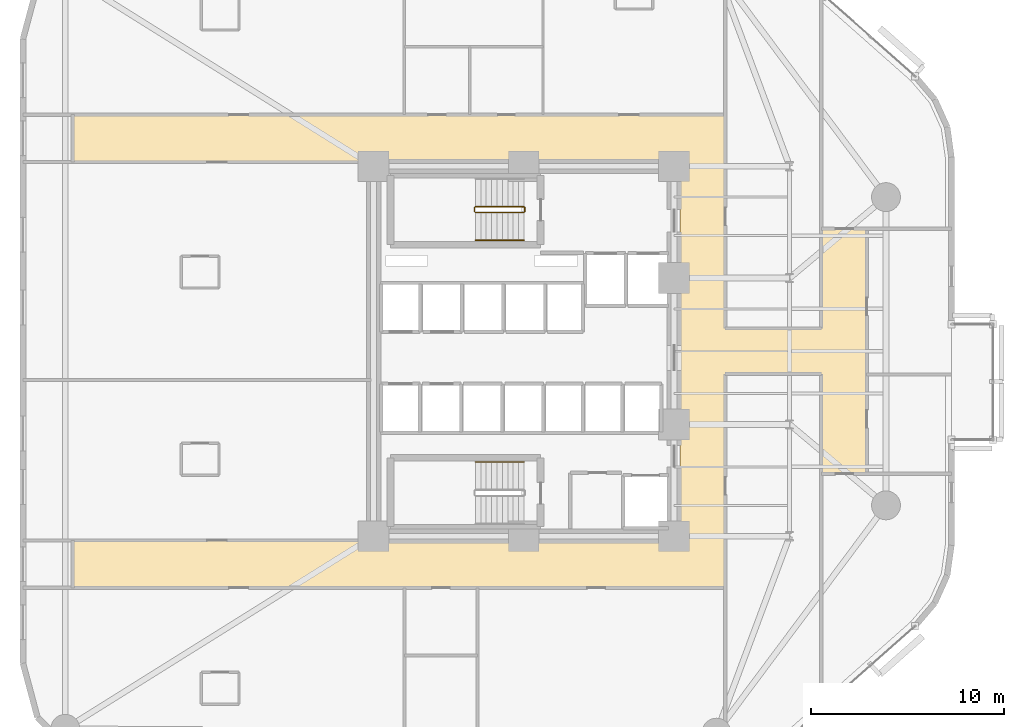
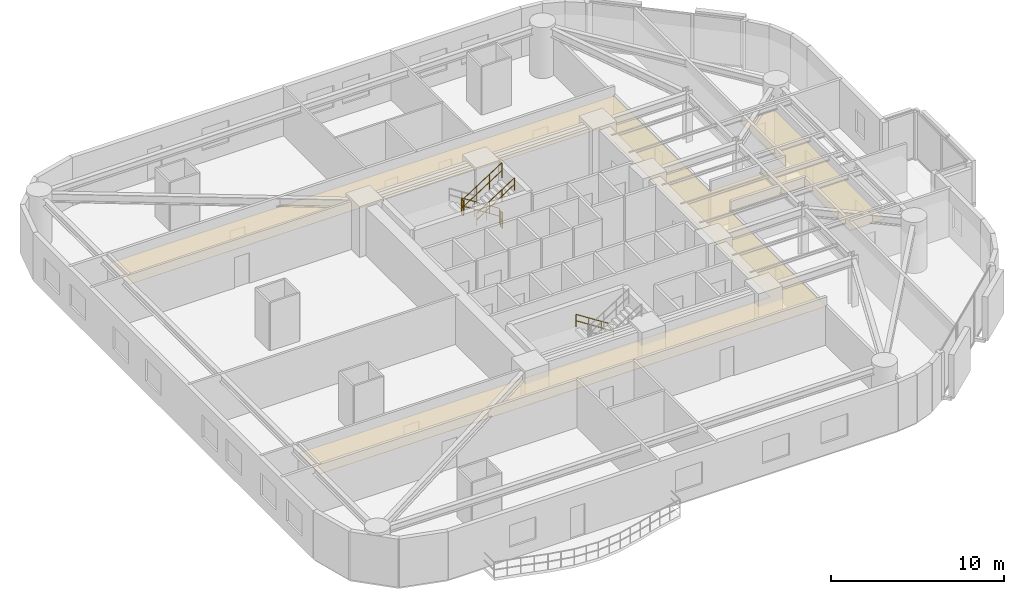
# One storey, part 15 of 16: 6 railings, 1 covering.
"""IFC4 building model written with IfcOpenShell, lengths in metres."""

from ifc_helpers import new_model, si_unit, direction, frame, origin, origin_2d, place, context, subcontext, project, spatial, polyline, circle, outline, extrude, material, layer, layer_set, type_object, element, save


model = new_model("IFC4")

# Units and contexts
model_context = context("Model", 3, precision=1e-05, world=origin(), true_north=direction((0.0, 1.0)))
body_context = subcontext(model_context, "Body", "Model", "MODEL_VIEW")
ifc_project = project(units=[si_unit("LENGTHUNIT", "METRE"), si_unit("AREAUNIT", "SQUARE_METRE"), si_unit("VOLUMEUNIT", "CUBIC_METRE"), si_unit("PLANEANGLEUNIT", "RADIAN"), si_unit("MASSUNIT", "GRAM", prefix="KILO")], contexts=[model_context])

# Site, building, storey
site_placement = place(None, origin())
site = spatial("IfcSite", under=ifc_project, at=site_placement, CompositionType="ELEMENT")
building_placement = place(site_placement, origin())
building = spatial("IfcBuilding", under=site, at=building_placement, Name="An Khanh Terracotta Commons", CompositionType="ELEMENT")
storey_placement = place(building_placement, frame((0.0, 0.0, 57.60009765625)))
storey = spatial("IfcBuildingStorey", under=building, at=storey_placement, Name="L15", CompositionType="ELEMENT", Elevation=57.60009765625)

# Covering
ifc_material_1 = material(Name="Perforated Mineral-Fibre Acoustic Tile")
ifc_layer = layer(ifc_material_1, 0.02001953125, Name="Perforated Mineral-Fibre Acoustic Tile")
ifc_layer_set = layer_set([ifc_layer], Name="Perforated Mineral-Fibre Acoustic Tile")
covering_type = type_object("IfcCoveringType", Name="CEIL-ACOUSTIC-18", PredefinedType="CEILING", material=ifc_layer_set)
covering_placement = place(storey_placement, frame((0.0, 0.0, 2.64990234375)))
element("IfcCovering", 1, at=covering_placement, inside=storey, type_object=covering_type, Name="L15 Corridor Ceiling", PredefinedType="CEILING", context=body_context, shape_type="SweptSolid", body=[
    extrude(outline(polyline([(6.0, 11.719970703125), (6.0, 14.179931640625), (37.5, 14.179931640625), (37.5, 33.820068359375), (6.0, 33.820068359375), (6.0, 36.280029296875), (37.5, 36.280029296875), (39.85009765625, 36.280029296875), (39.85009765625, 33.820068359375), (39.85009765625, 25.179931640625), (44.85009765625, 25.179931640625), (44.85009765625, 30.35009765625), (47.199951171875, 30.35009765625), (47.199951171875, 25.179931640625), (47.199951171875, 22.820068359375), (47.199951171875, 17.64990234375), (44.85009765625, 17.64990234375), (44.85009765625, 22.820068359375), (39.85009765625, 22.820068359375), (39.85009765625, 14.179931640625), (39.85009765625, 11.719970703125), (37.5, 11.719970703125), (6.0, 11.719970703125)])), origin(), (0.0, 0.0, 1.0), 0.02001953125),
])

# Railings
ifc_material_2 = material(Name="Brushed Stainless Steel 316", Category="steel")
railing_type_1 = type_object("IfcRailingType", Name="RAIL-HANDRAIL-900", PredefinedType="HANDRAIL", material=ifc_material_2)
railing_1_placement = place(storey_placement, frame((26.889892578125, 29.75, 1.97998046875)))
element("IfcRailing", 2, at=railing_1_placement, inside=storey, type_object=railing_type_1, Name="L15 ST-01 stair handrail 2", PredefinedType="HANDRAIL", context=body_context, shape_type="SweptSolid", body=[
    extrude(circle(Radius=0.02392578125, at=origin_2d()), frame((0.0, 0.0, 0.8759765625), z_axis=(0.841199657755, 0.0, 0.540724639528), x_axis=(0.0, 1.0, 0.0)), (0.0, 0.0, 1.0), 2.995849609375),
    extrude(circle(Radius=0.02392578125, at=origin_2d()), frame((0.0, 0.0, 0.42578125), z_axis=(0.841199657755, 0.0, 0.540724639528), x_axis=(0.0, 1.0, 0.0)), (0.0, 0.0, 1.0), 2.995849609375),
    extrude(circle(Radius=0.02099609375, at=origin_2d()), origin(), (0.0, 0.0, 1.0), 0.851806640625),
    extrude(circle(Radius=0.02099609375, at=origin_2d()), frame((0.840087890625, 0.0, 0.5400390625)), (0.0, 0.0, 1.0), 0.851806640625),
    extrude(circle(Radius=0.02099609375, at=origin_2d()), frame((1.679931640625, 0.0, 1.079833984375)), (0.0, 0.0, 1.0), 0.851806640625),
    extrude(circle(Radius=0.02099609375, at=origin_2d()), frame((2.52001953125, 0.0, 1.619873046875)), (0.0, 0.0, 1.0), 0.851806640625),
])
railing_2_placement = place(storey_placement, frame((29.409912109375, 18.25, 0.179931640625)))
element("IfcRailing", 3, at=railing_2_placement, inside=storey, type_object=railing_type_1, Name="L15 ST-02 stair handrail 1", PredefinedType="HANDRAIL", context=body_context, shape_type="SweptSolid", body=[
    extrude(circle(Radius=0.02392578125, at=origin_2d()), frame((0.0, 0.0, 0.8759765625), z_axis=(-0.841199657755, 0.0, 0.540724639528), x_axis=(0.0, -1.0, 0.0)), (0.0, 0.0, 1.0), 2.995849609375),
    extrude(circle(Radius=0.02392578125, at=origin_2d()), frame((0.0, 0.0, 0.42578125), z_axis=(-0.841199657755, 0.0, 0.540724639528), x_axis=(0.0, -1.0, 0.0)), (0.0, 0.0, 1.0), 2.995849609375),
    extrude(circle(Radius=0.02099609375, at=origin_2d()), origin(), (0.0, 0.0, 1.0), 0.851806640625),
    extrude(circle(Radius=0.02099609375, at=origin_2d()), frame((-0.840087890625, 0.0, 0.5400390625)), (0.0, 0.0, 1.0), 0.851806640625),
    extrude(circle(Radius=0.02099609375, at=origin_2d()), frame((-1.679931640625, 0.0, 1.079833984375)), (0.0, 0.0, 1.0), 0.851806640625),
    extrude(circle(Radius=0.02099609375, at=origin_2d()), frame((-2.52001953125, 0.0, 1.619873046875)), (0.0, 0.0, 1.0), 0.851806640625),
])
ifc_material_3 = material(Name="Powder-Coated Steel S355J2", Category="steel")
railing_type_2 = type_object("IfcRailingType", Name="RAIL-STAIR-GUARD-1100", PredefinedType="BALUSTRADE", material=ifc_material_3)
railing_3_placement = place(storey_placement, frame((29.409912109375, 31.5, 0.179931640625)))
element("IfcRailing", 4, at=railing_3_placement, inside=storey, type_object=railing_type_2, Name="L15 ST-01 stair guard 1", PredefinedType="BALUSTRADE", context=body_context, shape_type="SweptSolid", body=[
    extrude(circle(Radius=0.02392578125, at=origin_2d()), frame((0.0, 0.0, 1.076171875), z_axis=(-0.841199657755, 0.0, 0.540724639528), x_axis=(0.0, -1.0, 0.0)), (0.0, 0.0, 1.0), 2.995849609375),
    extrude(circle(Radius=0.02392578125, at=origin_2d()), frame((0.0, 0.0, 0.52587890625), z_axis=(-0.841199657755, 0.0, 0.540724639528), x_axis=(0.0, -1.0, 0.0)), (0.0, 0.0, 1.0), 2.995849609375),
    extrude(circle(Radius=0.02099609375, at=origin_2d()), origin(), (0.0, 0.0, 1.0), 1.052001953125),
    extrude(circle(Radius=0.02099609375, at=origin_2d()), frame((-0.840087890625, 0.0, 0.5400390625)), (0.0, 0.0, 1.0), 1.052001953125),
    extrude(circle(Radius=0.02099609375, at=origin_2d()), frame((-1.679931640625, 0.0, 1.079833984375)), (0.0, 0.0, 1.0), 1.052001953125),
    extrude(circle(Radius=0.02099609375, at=origin_2d()), frame((-2.52001953125, 0.0, 1.619873046875)), (0.0, 0.0, 1.0), 1.052001953125),
])
railing_4_placement = place(storey_placement, frame((26.840087890625, 31.449951171875, 1.7998046875)))
element("IfcRailing", 5, at=railing_4_placement, inside=storey, type_object=railing_type_2, Name="L15 ST-01 stair guard 2", PredefinedType="BALUSTRADE", context=body_context, shape_type="SweptSolid", body=[
    extrude(circle(Radius=0.02392578125, at=origin_2d()), frame((0.0, 0.0, 1.076171875), z_axis=(0.0, -1.0, 0.0), x_axis=(1.0, 0.0, 0.0)), (0.0, 0.0, 1.0), 0.199951171875),
    extrude(circle(Radius=0.02392578125, at=origin_2d()), frame((0.0, 0.0, 0.52587890625), z_axis=(0.0, -1.0, 0.0), x_axis=(1.0, 0.0, 0.0)), (0.0, 0.0, 1.0), 0.199951171875),
    extrude(circle(Radius=0.02099609375, at=origin_2d()), origin(), (0.0, 0.0, 1.0), 1.052001953125),
    extrude(circle(Radius=0.02099609375, at=origin_2d()), frame((0.0, -0.199951171875, 0.0)), (0.0, 0.0, 1.0), 1.052001953125),
])
railing_5_placement = place(storey_placement, frame((26.889892578125, 31.199951171875, 1.97998046875)))
element("IfcRailing", 6, at=railing_5_placement, inside=storey, type_object=railing_type_2, Name="L15 ST-01 stair guard 3", PredefinedType="BALUSTRADE", context=body_context, shape_type="SweptSolid", body=[
    extrude(circle(Radius=0.02392578125, at=origin_2d()), frame((0.0, 0.0, 1.076171875), z_axis=(0.841199657755, 0.0, 0.540724639528), x_axis=(0.0, 1.0, 0.0)), (0.0, 0.0, 1.0), 2.995849609375),
    extrude(circle(Radius=0.02392578125, at=origin_2d()), frame((0.0, 0.0, 0.52587890625), z_axis=(0.841199657755, 0.0, 0.540724639528), x_axis=(0.0, 1.0, 0.0)), (0.0, 0.0, 1.0), 2.995849609375),
    extrude(circle(Radius=0.02099609375, at=origin_2d()), origin(), (0.0, 0.0, 1.0), 1.052001953125),
    extrude(circle(Radius=0.02099609375, at=origin_2d()), frame((0.840087890625, 0.0, 0.5400390625)), (0.0, 0.0, 1.0), 1.052001953125),
    extrude(circle(Radius=0.02099609375, at=origin_2d()), frame((1.679931640625, 0.0, 1.079833984375)), (0.0, 0.0, 1.0), 1.052001953125),
    extrude(circle(Radius=0.02099609375, at=origin_2d()), frame((2.52001953125, 0.0, 1.619873046875)), (0.0, 0.0, 1.0), 1.052001953125),
])
railing_6_placement = place(storey_placement, frame((29.4599609375, 31.449951171875, 0.0)))
element("IfcRailing", 7, at=railing_6_placement, inside=storey, type_object=railing_type_2, Name="L15 ST-01 stair guard 4", PredefinedType="BALUSTRADE", context=body_context, shape_type="SweptSolid", body=[
    extrude(circle(Radius=0.02392578125, at=origin_2d()), frame((0.0, 0.0, 1.076171875), z_axis=(0.0, -1.0, 0.0), x_axis=(1.0, 0.0, 0.0)), (0.0, 0.0, 1.0), 0.199951171875),
    extrude(circle(Radius=0.02392578125, at=origin_2d()), frame((0.0, 0.0, 0.52587890625), z_axis=(0.0, -1.0, 0.0), x_axis=(1.0, 0.0, 0.0)), (0.0, 0.0, 1.0), 0.199951171875),
    extrude(circle(Radius=0.02099609375, at=origin_2d()), origin(), (0.0, 0.0, 1.0), 1.052001953125),
    extrude(circle(Radius=0.02099609375, at=origin_2d()), frame((0.0, -0.199951171875, 0.0)), (0.0, 0.0, 1.0), 1.052001953125),
])

save(model, "model.ifc")
